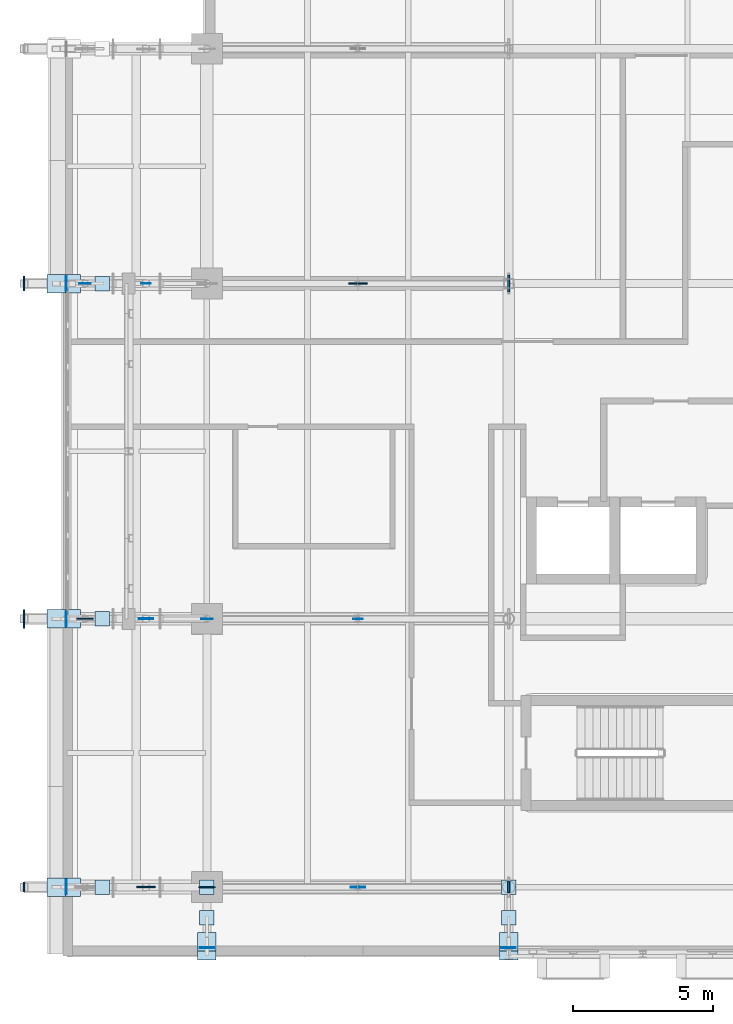
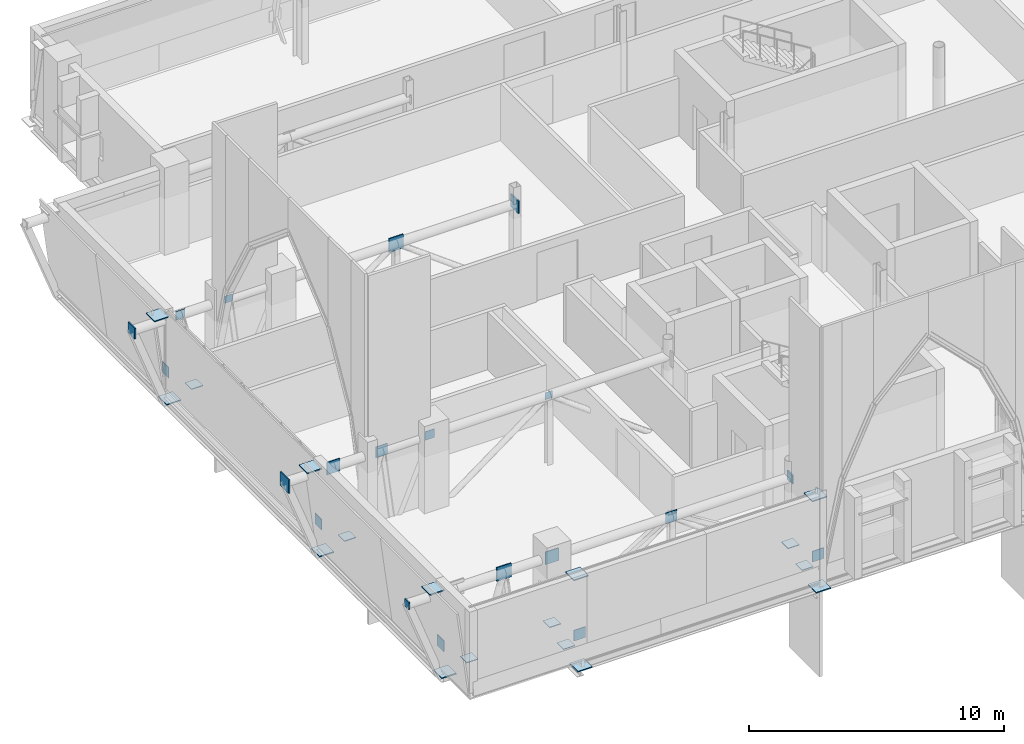
# One storey, part 46 of 90: 37 plates.
"""IFC4 building model written with IfcOpenShell, lengths in metres."""

from ifc_helpers import new_model, si_unit, direction, frame, origin, origin_2d, place, context, subcontext, project, spatial, rectangle, extrude, material, layer, layer_set, type_object, element, save


model = new_model("IFC4")

# Units and contexts
model_context = context("Model", 3, precision=1e-05, world=origin(), true_north=direction((0.0, 1.0)))
body_context = subcontext(model_context, "Body", "Model", "MODEL_VIEW")
ifc_project = project(units=[si_unit("LENGTHUNIT", "METRE"), si_unit("AREAUNIT", "SQUARE_METRE"), si_unit("VOLUMEUNIT", "CUBIC_METRE"), si_unit("PLANEANGLEUNIT", "RADIAN"), si_unit("MASSUNIT", "GRAM", prefix="KILO")], contexts=[model_context])

# Site, building, storey
site_placement = place(None, origin())
site = spatial("IfcSite", under=ifc_project, at=site_placement, CompositionType="ELEMENT")
building_placement = place(site_placement, origin())
building = spatial("IfcBuilding", under=site, at=building_placement, Name="Zereglee Splitstone Museum", CompositionType="ELEMENT")
storey_placement = place(building_placement, frame((0.0, 0.0, 4.800048828125)))
storey = spatial("IfcBuildingStorey", under=building, at=storey_placement, Name="L01", CompositionType="ELEMENT", Elevation=4.800048828125)

# Plates
ifc_material = material(Name="Steel S355J2", Category="steel")
ifc_layer_1 = layer(ifc_material, 0.011962890625)
ifc_layer_set_1 = layer_set([ifc_layer_1], Name="Steel S355J2")
plate_type_1 = type_object("IfcPlateType", Name="NP-06", PredefinedType="SHEET", material=ifc_layer_set_1)
plate_1_placement = place(storey_placement, frame((3.050048828125, 0.0, 3.1298828125), z_axis=(0.0, 0.0, 1.0), x_axis=(1.0, 0.0, 0.0)))
element("IfcPlate", 1, at=plate_1_placement, inside=storey, type_object=plate_type_1, Name="Cantilever Truss Node Plate CN-01", PredefinedType="SHEET", context=body_context, shape_type="SweptSolid", body=[
    extrude(rectangle(XDim=0.06005859375, YDim=0.340087890625, at=origin_2d()), origin(), (0.0, 0.0, 1.0), 0.340087890625),
])
for number, where, z_axis, x_axis, name in (
    (2, (15.0, 9.60009765625, 3.1298828125), (0.0, 0.0, 1.0), (1.0, 0.0, 0.0), "Cantilever Truss Node Plate CN-02"),
    (3, (7.416748046875, 21.60009765625, 3.1298828125), (0.0, 0.0, 1.0), (1.0, 0.0, 0.0), "Cantilever Truss Node Plate CN-03"),
):
    element("IfcPlate", number, at=place(storey_placement, frame(where, z_axis=z_axis, x_axis=x_axis)), inside=storey, type_object=plate_type_1, Name=name, PredefinedType="SHEET", context=body_context, shape_type="SweptSolid", body=[
        extrude(rectangle(XDim=0.340087890625, YDim=0.011962890625, at=origin_2d()), origin(), (0.0, 0.0, 1.0), 0.340087890625),
    ])
ifc_layer_2 = layer(ifc_material, 0.02001953125)
ifc_layer_set_2 = layer_set([ifc_layer_2], Name="Steel S355J2")
plate_type_2 = type_object("IfcPlateType", Name="NP-05", PredefinedType="SHEET", material=ifc_layer_set_2)
plate_2_placement = place(storey_placement, frame((20.39990234375, 0.0, 3.090087890625), z_axis=(0.0, 0.0, 1.0), x_axis=(1.0, 0.0, 0.0)))
element("IfcPlate", 4, at=plate_2_placement, inside=storey, type_object=plate_type_2, Name="Cantilever Truss Node Plate CN-01", PredefinedType="SHEET", context=body_context, shape_type="SweptSolid", body=[
    extrude(rectangle(XDim=0.06005859375, YDim=0.419921875, at=origin_2d()), origin(), (0.0, 0.0, 1.0), 0.419921875),
])
for number, where, z_axis, x_axis, name in (
    (5, (9.60009765625, 9.60009765625, 3.090087890625), (0.0, 0.0, 1.0), (1.0, 0.0, 0.0), "Cantilever Truss Node Plate CN-02"),
    (6, (5.2333984375, 21.60009765625, 3.090087890625), (0.0, 0.0, 1.0), (1.0, 0.0, 0.0), "Cantilever Truss Node Plate CN-03"),
):
    element("IfcPlate", number, at=place(storey_placement, frame(where, z_axis=z_axis, x_axis=x_axis)), inside=storey, type_object=plate_type_2, Name=name, PredefinedType="SHEET", context=body_context, shape_type="SweptSolid", body=[
        extrude(rectangle(XDim=0.419921875, YDim=0.02001953125, at=origin_2d()), origin(), (0.0, 0.0, 1.0), 0.419921875),
    ])
ifc_layer_3 = layer(ifc_material, 0.030029296875)
ifc_layer_set_3 = layer_set([ifc_layer_3], Name="Steel S355J2")
plate_type_3 = type_object("IfcPlateType", Name="NP-04", PredefinedType="SHEET", material=ifc_layer_set_3)
for number, where, z_axis, x_axis, name in (
    (7, (15.0, 0.0, 3.0400390625), (0.0, 0.0, 1.0), (1.0, 0.0, 0.0), "Cantilever Truss Node Plate CN-01"),
    (8, (7.416748046875, 9.60009765625, 3.0400390625), (0.0, 0.0, 1.0), (1.0, 0.0, 0.0), "Cantilever Truss Node Plate CN-02"),
):
    element("IfcPlate", number, at=place(storey_placement, frame(where, z_axis=z_axis, x_axis=x_axis)), inside=storey, type_object=plate_type_3, Name=name, PredefinedType="SHEET", context=body_context, shape_type="SweptSolid", body=[
        extrude(rectangle(XDim=0.52001953125, YDim=0.030029296875, at=origin_2d()), origin(), (0.0, 0.0, 1.0), 0.52001953125),
    ])
plate_3_placement = place(storey_placement, frame((3.050048828125, 21.60009765625, 3.0400390625), z_axis=(0.0, 0.0, 1.0), x_axis=(1.0, 0.0, 0.0)))
element("IfcPlate", 9, at=plate_3_placement, inside=storey, type_object=plate_type_3, Name="Cantilever Truss Node Plate CN-03", PredefinedType="SHEET", context=body_context, shape_type="SweptSolid", body=[
    extrude(rectangle(XDim=0.06005859375, YDim=0.52001953125, at=origin_2d()), origin(), (0.0, 0.0, 1.0), 0.52001953125),
])
for number, where, z_axis, x_axis, name in (
    (10, (9.60009765625, 0.0, 0.10498046875), (0.0, 0.0, 1.0), (1.0, 0.0, 0.0), "CBF Brace Gusset Cap L01-001"),
    (11, (20.39990234375, 0.0, 0.10498046875), (0.0, 0.0, 1.0), (1.0, 0.0, 0.0), "CBF Brace Gusset Cap L01-001"),
    (12, (5.85009765625, 0.0, -0.27490234375), (0.0, 0.0, 1.0), (1.0, 0.0, 0.0), "Facet Tie Seal Plate FH-V1W-S"),
):
    element("IfcPlate", number, at=place(storey_placement, frame(where, z_axis=z_axis, x_axis=x_axis)), inside=storey, type_object=plate_type_3, Name=name, PredefinedType="SHEET", context=body_context, shape_type="SweptSolid", body=[
        extrude(rectangle(XDim=0.52001953125, YDim=0.52001953125, at=origin_2d()), origin(), (0.0, 0.0, 1.0), 0.030029296875),
    ])
plate_4_placement = place(storey_placement, frame((4.564208984375, 0.0, 0.639892578125), z_axis=(0.0, 0.0, 1.0), x_axis=(1.0, 0.0, 0.0)))
element("IfcPlate", 13, at=plate_4_placement, inside=storey, type_object=plate_type_3, Name="Facet Tie Seal Plate FH-V1W-S", PredefinedType="SHEET", context=body_context, shape_type="SweptSolid", body=[
    extrude(rectangle(XDim=0.030029296875, YDim=0.52001953125, at=origin_2d()), origin(), (0.0, 0.0, 1.0), 0.52001953125),
])
plate_5_placement = place(storey_placement, frame((5.85009765625, 9.60009765625, -0.27490234375), z_axis=(0.0, 0.0, 1.0), x_axis=(1.0, 0.0, 0.0)))
element("IfcPlate", 14, at=plate_5_placement, inside=storey, type_object=plate_type_3, Name="Facet Tie Seal Plate FH-V1W-S", PredefinedType="SHEET", context=body_context, shape_type="SweptSolid", body=[
    extrude(rectangle(XDim=0.52001953125, YDim=0.52001953125, at=origin_2d()), origin(), (0.0, 0.0, 1.0), 0.030029296875),
])
plate_6_placement = place(storey_placement, frame((4.564208984375, 9.60009765625, 0.639892578125), z_axis=(0.0, 0.0, 1.0), x_axis=(1.0, 0.0, 0.0)))
element("IfcPlate", 15, at=plate_6_placement, inside=storey, type_object=plate_type_3, Name="Facet Tie Seal Plate FH-V1W-S", PredefinedType="SHEET", context=body_context, shape_type="SweptSolid", body=[
    extrude(rectangle(XDim=0.030029296875, YDim=0.52001953125, at=origin_2d()), origin(), (0.0, 0.0, 1.0), 0.52001953125),
])
plate_7_placement = place(storey_placement, frame((5.85009765625, 21.60009765625, -0.27490234375), z_axis=(0.0, 0.0, 1.0), x_axis=(1.0, 0.0, 0.0)))
element("IfcPlate", 16, at=plate_7_placement, inside=storey, type_object=plate_type_3, Name="Facet Tie Seal Plate FH-V1W-N", PredefinedType="SHEET", context=body_context, shape_type="SweptSolid", body=[
    extrude(rectangle(XDim=0.52001953125, YDim=0.52001953125, at=origin_2d()), origin(), (0.0, 0.0, 1.0), 0.030029296875),
])
plate_8_placement = place(storey_placement, frame((4.564208984375, 21.60009765625, 0.639892578125), z_axis=(0.0, 0.0, 1.0), x_axis=(1.0, 0.0, 0.0)))
element("IfcPlate", 17, at=plate_8_placement, inside=storey, type_object=plate_type_3, Name="Facet Tie Seal Plate FH-V1W-N", PredefinedType="SHEET", context=body_context, shape_type="SweptSolid", body=[
    extrude(rectangle(XDim=0.030029296875, YDim=0.52001953125, at=origin_2d()), origin(), (0.0, 0.0, 1.0), 0.52001953125),
])
plate_9_placement = place(storey_placement, frame((9.60009765625, -1.10009765625, -0.27490234375), z_axis=(0.0, 0.0, 1.0), x_axis=(1.0, 0.0, 0.0)))
element("IfcPlate", 18, at=plate_9_placement, inside=storey, type_object=plate_type_3, Name="Facet Tie Seal Plate FH-V1S-W", PredefinedType="SHEET", context=body_context, shape_type="SweptSolid", body=[
    extrude(rectangle(XDim=0.52001953125, YDim=0.52001953125, at=origin_2d()), origin(), (0.0, 0.0, 1.0), 0.030029296875),
])
plate_10_placement = place(storey_placement, frame((9.60009765625, -2.169189453125, 0.639892578125), z_axis=(0.0, 0.0, 1.0), x_axis=(1.0, 0.0, 0.0)))
element("IfcPlate", 19, at=plate_10_placement, inside=storey, type_object=plate_type_3, Name="Facet Tie Seal Plate FH-V1S-W", PredefinedType="SHEET", context=body_context, shape_type="SweptSolid", body=[
    extrude(rectangle(XDim=0.52001953125, YDim=0.030029296875, at=origin_2d()), origin(), (0.0, 0.0, 1.0), 0.52001953125),
])
plate_11_placement = place(storey_placement, frame((20.39990234375, -1.10009765625, -0.27490234375), z_axis=(0.0, 0.0, 1.0), x_axis=(1.0, 0.0, 0.0)))
element("IfcPlate", 20, at=plate_11_placement, inside=storey, type_object=plate_type_3, Name="Facet Tie Seal Plate FH-V1S-W", PredefinedType="SHEET", context=body_context, shape_type="SweptSolid", body=[
    extrude(rectangle(XDim=0.52001953125, YDim=0.52001953125, at=origin_2d()), origin(), (0.0, 0.0, 1.0), 0.030029296875),
])
plate_12_placement = place(storey_placement, frame((20.39990234375, -2.169189453125, 0.639892578125), z_axis=(0.0, 0.0, 1.0), x_axis=(1.0, 0.0, 0.0)))
element("IfcPlate", 21, at=plate_12_placement, inside=storey, type_object=plate_type_3, Name="Facet Tie Seal Plate FH-V1S-W", PredefinedType="SHEET", context=body_context, shape_type="SweptSolid", body=[
    extrude(rectangle(XDim=0.52001953125, YDim=0.030029296875, at=origin_2d()), origin(), (0.0, 0.0, 1.0), 0.52001953125),
])
ifc_layer_4 = layer(ifc_material, 0.0400390625)
ifc_layer_set_4 = layer_set([ifc_layer_4], Name="Steel S355J2")
plate_type_4 = type_object("IfcPlateType", Name="NP-03", PredefinedType="SHEET", material=ifc_layer_set_4)
for number, where, z_axis, x_axis, name in (
    (22, (9.60009765625, 0.0, 3.0), (0.0, 0.0, 1.0), (1.0, 0.0, 0.0), "Cantilever Truss Node Plate CN-01"),
    (23, (5.2333984375, 9.60009765625, 3.0), (0.0, 0.0, 1.0), (1.0, 0.0, 0.0), "Cantilever Truss Node Plate CN-02"),
):
    element("IfcPlate", number, at=place(storey_placement, frame(where, z_axis=z_axis, x_axis=x_axis)), inside=storey, type_object=plate_type_4, Name=name, PredefinedType="SHEET", context=body_context, shape_type="SweptSolid", body=[
        extrude(rectangle(XDim=0.60009765625, YDim=0.0400390625, at=origin_2d()), origin(), (0.0, 0.0, 1.0), 0.60009765625),
    ])
plate_13_placement = place(storey_placement, frame((20.39990234375, 21.60009765625, 3.0), z_axis=(0.0, 0.0, 1.0), x_axis=(1.0, 0.0, 0.0)))
element("IfcPlate", 24, at=plate_13_placement, inside=storey, type_object=plate_type_4, Name="Cantilever Truss Node Plate CN-03", PredefinedType="SHEET", context=body_context, shape_type="SweptSolid", body=[
    extrude(rectangle(XDim=0.06005859375, YDim=0.60009765625, at=origin_2d()), origin(), (0.0, 0.0, 1.0), 0.60009765625),
])
ifc_layer_5 = layer(ifc_material, 0.050048828125)
ifc_layer_set_5 = layer_set([ifc_layer_5], Name="Steel S355J2")
plate_type_5 = type_object("IfcPlateType", Name="NP-02", PredefinedType="SHEET", material=ifc_layer_set_5)
plate_14_placement = place(storey_placement, frame((7.416748046875, 0.0, 2.97021484375), z_axis=(0.0, 0.0, 1.0), x_axis=(1.0, 0.0, 0.0)))
element("IfcPlate", 25, at=plate_14_placement, inside=storey, type_object=plate_type_5, Name="Cantilever Truss Node Plate CN-01", PredefinedType="SHEET", context=body_context, shape_type="SweptSolid", body=[
    extrude(rectangle(XDim=0.659912109375, YDim=0.050048828125, at=origin_2d()), origin(), (0.0, 0.0, 1.0), 0.659912109375),
])
plate_15_placement = place(storey_placement, frame((3.050048828125, 9.60009765625, 2.97021484375), z_axis=(0.0, 0.0, 1.0), x_axis=(1.0, 0.0, 0.0)))
element("IfcPlate", 26, at=plate_15_placement, inside=storey, type_object=plate_type_5, Name="Cantilever Truss Node Plate CN-02", PredefinedType="SHEET", context=body_context, shape_type="SweptSolid", body=[
    extrude(rectangle(XDim=0.06005859375, YDim=0.659912109375, at=origin_2d()), origin(), (0.0, 0.0, 1.0), 0.659912109375),
])
plate_16_placement = place(storey_placement, frame((15.0, 21.60009765625, 2.97021484375), z_axis=(0.0, 0.0, 1.0), x_axis=(1.0, 0.0, 0.0)))
element("IfcPlate", 27, at=plate_16_placement, inside=storey, type_object=plate_type_5, Name="Cantilever Truss Node Plate CN-03", PredefinedType="SHEET", context=body_context, shape_type="SweptSolid", body=[
    extrude(rectangle(XDim=0.659912109375, YDim=0.050048828125, at=origin_2d()), origin(), (0.0, 0.0, 1.0), 0.659912109375),
])
for number, where, z_axis, x_axis, name in (
    (28, (4.751708984375, 0.0, -0.5751953125), (0.0, 0.0, 1.0), (1.0, 0.0, 0.0), "Facet Strut Seal Plate FH-V1W-S"),
    (29, (4.210693359375, 0.0, 3.60498046875), (0.0, 0.0, 1.0), (1.0, 0.0, 0.0), "Facet Strut Seal Plate FH-V1W-S"),
    (30, (4.751708984375, 9.60009765625, -0.5751953125), (0.0, 0.0, 1.0), (1.0, 0.0, 0.0), "Facet Strut Seal Plate FH-V1W-S"),
    (31, (4.210693359375, 9.60009765625, 3.60498046875), (0.0, 0.0, 1.0), (1.0, 0.0, 0.0), "Facet Strut Seal Plate FH-V1W-S"),
    (32, (4.751708984375, 21.60009765625, -0.5751953125), (0.0, 0.0, 1.0), (1.0, 0.0, 0.0), "Facet Strut Seal Plate FH-V1W-N"),
    (33, (4.210693359375, 21.60009765625, 3.60498046875), (0.0, 0.0, 1.0), (1.0, 0.0, 0.0), "Facet Strut Seal Plate FH-V1W-N"),
    (34, (9.60009765625, -2.28076171875, -0.5751953125), (0.0, 0.0, 1.0), (1.0, 0.0, 0.0), "Facet Strut Seal Plate FH-V1S-W"),
    (35, (9.60009765625, -1.958740234375, 3.60498046875), (0.0, 0.0, 1.0), (1.0, 0.0, 0.0), "Facet Strut Seal Plate FH-V1S-W"),
    (36, (20.39990234375, -2.28076171875, -0.5751953125), (0.0, 0.0, 1.0), (1.0, 0.0, 0.0), "Facet Strut Seal Plate FH-V1S-W"),
    (37, (20.39990234375, -1.958740234375, 3.60498046875), (0.0, 0.0, 1.0), (1.0, 0.0, 0.0), "Facet Strut Seal Plate FH-V1S-W"),
):
    element("IfcPlate", number, at=place(storey_placement, frame(where, z_axis=z_axis, x_axis=x_axis)), inside=storey, type_object=plate_type_5, Name=name, PredefinedType="SHEET", context=body_context, shape_type="SweptSolid", body=[
        extrude(rectangle(XDim=0.659912109375, YDim=0.659912109375, at=origin_2d()), origin(), (0.0, 0.0, 1.0), 0.050048828125),
    ])

save(model, "model.ifc")
